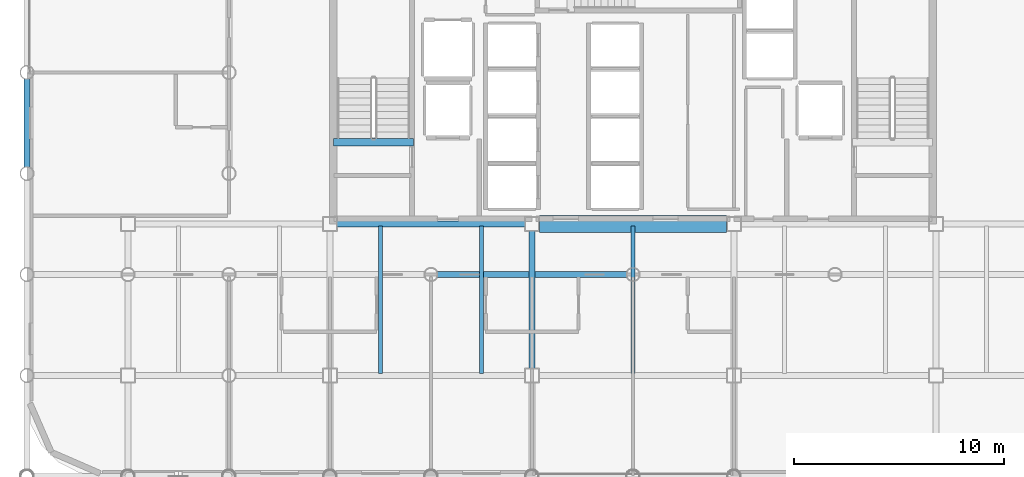
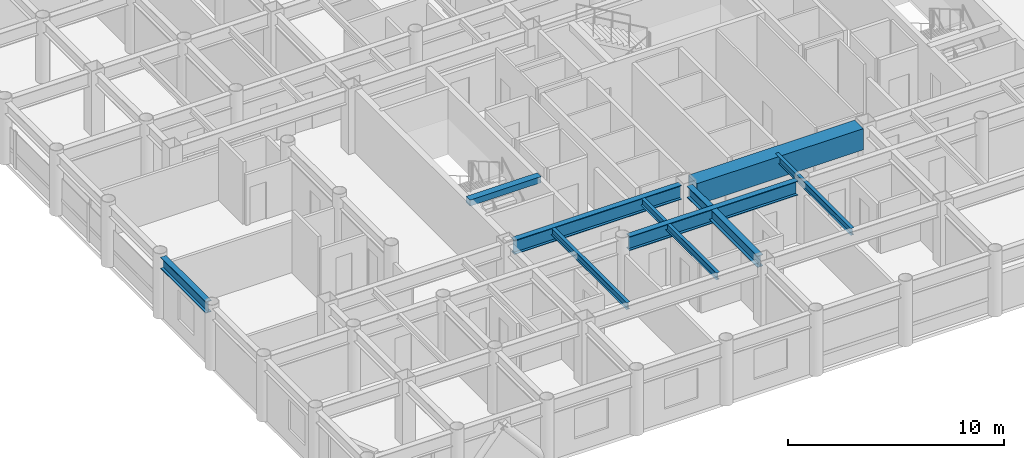
# One storey, part 3 of 22: 9 beams.
"""IFC4 building model written with IfcOpenShell, lengths in metres."""

from ifc_helpers import new_model, si_unit, direction, frame, origin, origin_2d, place, context, subcontext, project, spatial, rectangle, i_section, extrude, material, material_profile, profile_set, type_object, element, save


model = new_model("IFC4")

# Units and contexts
model_context = context("Model", 3, precision=1e-05, world=origin(), true_north=direction((0.0, 1.0)))
body_context = subcontext(model_context, "Body", "Model", "MODEL_VIEW")
ifc_project = project(units=[si_unit("LENGTHUNIT", "METRE"), si_unit("AREAUNIT", "SQUARE_METRE"), si_unit("VOLUMEUNIT", "CUBIC_METRE"), si_unit("PLANEANGLEUNIT", "RADIAN"), si_unit("MASSUNIT", "GRAM", prefix="KILO")], contexts=[model_context])

# Site, building, storey
site_placement = place(None, origin())
site = spatial("IfcSite", under=ifc_project, at=site_placement, CompositionType="ELEMENT")
building_placement = place(site_placement, origin())
building = spatial("IfcBuilding", under=site, at=building_placement, Name="Kallvorn Hotel Tower", CompositionType="ELEMENT")
storey_placement = place(building_placement, frame((0.0, 0.0, 110.0)))
storey = spatial("IfcBuildingStorey", under=building, at=storey_placement, Name="L26", CompositionType="ELEMENT", Elevation=110.0)

# Beams
ifc_material_1 = material(Name="Structural steel S355JR", Category="steel")
ifc_material_profile_1 = material_profile(ifc_material_1, i_section(OverallWidth=0.300048828125, OverallDepth=0.64990234375, WebThickness=0.01611328125, FlangeThickness=0.031005859375, at=origin_2d()), Name="HE 650 B")
ifc_profile_set_1 = profile_set([ifc_material_profile_1], Name="Structural steel S355JR")
beam_type_1 = type_object("IfcBeamType", Name="BM_HE650B", PredefinedType="BEAM", material=ifc_profile_set_1)
beam_1_placement = place(storey_placement, frame((-28.800048828125, -4.4951171875, 3.195068359375), z_axis=(0.0, 1.0, 0.0), x_axis=(-1.0, 0.0, 0.0)))
element("IfcBeam", 1, at=beam_1_placement, inside=storey, type_object=beam_type_1, Name="L27 Primary Y-Girder 76", PredefinedType="BEAM", context=body_context, shape_type="SweptSolid", body=[
    extrude(i_section(OverallWidth=0.300048828125, OverallDepth=0.64990234375, WebThickness=0.01611328125, FlangeThickness=0.031005859375, at=origin_2d()), origin(), (0.0, 0.0, 1.0), 4.190185546875),
])
beam_2_placement = place(storey_placement, frame((-4.800048828125, -14.074951171875, 3.195068359375), z_axis=(0.0, 1.0, 0.0), x_axis=(-1.0, 0.0, 0.0)))
element("IfcBeam", 2, at=beam_2_placement, inside=storey, type_object=beam_type_1, Name="L27 Primary Y-Girder 106", PredefinedType="BEAM", context=body_context, shape_type="SweptSolid", body=[
    extrude(i_section(OverallWidth=0.300048828125, OverallDepth=0.64990234375, WebThickness=0.01611328125, FlangeThickness=0.031005859375, at=origin_2d()), origin(), (0.0, 0.0, 1.0), 6.550048828125),
])
ifc_material_2 = material(Name="Structural steel S355JR", Category="steel")
ifc_material_profile_2 = material_profile(ifc_material_2, i_section(OverallWidth=0.300048828125, OverallDepth=0.800048828125, WebThickness=0.017578125, FlangeThickness=0.032958984375, at=origin_2d()), Name="HE 800 B")
ifc_profile_set_2 = profile_set([ifc_material_profile_2], Name="Structural steel S355JR")
beam_type_2 = type_object("IfcBeamType", Name="BM_HE800B", PredefinedType="BEAM", material=ifc_profile_set_2)
beam_3_placement = place(storey_placement, frame((-9.294921875, -9.60009765625, 3.1201171875), z_axis=(1.0, 0.0, 0.0), x_axis=(0.0, 1.0, 0.0)))
element("IfcBeam", 3, at=beam_3_placement, inside=storey, type_object=beam_type_2, Name="L27 Primary X-Girder 26", PredefinedType="BEAM", context=body_context, shape_type="SweptSolid", body=[
    extrude(i_section(OverallWidth=0.300048828125, OverallDepth=0.800048828125, WebThickness=0.017578125, FlangeThickness=0.032958984375, at=origin_2d()), origin(), (0.0, 0.0, 1.0), 8.989990234375),
])
beam_4_placement = place(storey_placement, frame((-14.074951171875, -7.199951171875, 3.1201171875), z_axis=(1.0, 0.0, 0.0), x_axis=(0.0, 1.0, 0.0)))
element("IfcBeam", 4, at=beam_4_placement, inside=storey, type_object=beam_type_2, Name="L27 Primary X-Girder 33", PredefinedType="BEAM", context=body_context, shape_type="SweptSolid", body=[
    extrude(i_section(OverallWidth=0.300048828125, OverallDepth=0.800048828125, WebThickness=0.017578125, FlangeThickness=0.032958984375, at=origin_2d()), origin(), (0.0, 0.0, 1.0), 8.949951171875),
])
ifc_material_3 = material(Name="Structural steel S355JR", Category="steel")
ifc_material_profile_3 = material_profile(ifc_material_3, i_section(OverallWidth=0.179931640625, OverallDepth=0.39990234375, WebThickness=0.008544921875, FlangeThickness=0.013427734375, at=origin_2d()), Name="IPE 400")
ifc_profile_set_3 = profile_set([ifc_material_profile_3], Name="Structural steel S355JR")
beam_type_3 = type_object("IfcBeamType", Name="BM_IPE400", PredefinedType="JOIST", material=ifc_profile_set_3)
for number, where, z_axis, x_axis, name in (
    (5, (-12.0, -14.300048828125, 3.320068359375), (0.0, 1.0, 0.0), (-1.0, 0.0, 0.0), "L27 Secondary Composite Joist 196"),
    (6, (-7.199951171875, -14.300048828125, 3.320068359375), (0.0, 1.0, 0.0), (-1.0, 0.0, 0.0), "L27 Secondary Composite Joist 198"),
    (7, (0.0, -14.300048828125, 3.320068359375), (0.0, 1.0, 0.0), (-1.0, 0.0, 0.0), "L27 Secondary Composite Joist 200"),
):
    element("IfcBeam", number, at=place(storey_placement, frame(where, z_axis=z_axis, x_axis=x_axis)), inside=storey, type_object=beam_type_3, Name=name, PredefinedType="JOIST", context=body_context, shape_type="SweptSolid", body=[
        extrude(i_section(OverallWidth=0.179931640625, OverallDepth=0.39990234375, WebThickness=0.008544921875, FlangeThickness=0.013427734375, at=origin_2d()), origin(), (0.0, 0.0, 1.0), 7.0),
    ])
ifc_material_4 = material(Name="Concrete C50/60", Category="concrete")
ifc_material_profile_4 = material_profile(ifc_material_4, rectangle(XDim=0.360107421875, YDim=0.340087890625, at=origin_2d()), Name="RC 360x340")
ifc_profile_set_4 = profile_set([ifc_material_profile_4], Name="Concrete C50/60")
beam_type_4 = type_object("IfcBeamType", Name="BM_RC_400x360", PredefinedType="BEAM", material=ifc_profile_set_4)
beam_5_placement = place(storey_placement, frame((-10.419921875, -3.31005859375, 3.35009765625), z_axis=(-1.0, 0.0, 0.0), x_axis=(0.0, -1.0, 0.0)))
element("IfcBeam", 8, at=beam_5_placement, inside=storey, type_object=beam_type_4, Name="L27 Stair ST1 Arrival Trimmer Beam", PredefinedType="BEAM", context=body_context, shape_type="SweptSolid", body=[
    extrude(rectangle(XDim=0.360107421875, YDim=0.340087890625, at=origin_2d()), origin(), (0.0, 0.0, 1.0), 3.820068359375),
])
ifc_material_5 = material(Name="Concrete C50/60", Category="concrete")
ifc_material_profile_5 = material_profile(ifc_material_5, rectangle(XDim=0.800048828125, YDim=1.199951171875, at=origin_2d()), Name="RC 800x1200")
ifc_profile_set_5 = profile_set([ifc_material_profile_5], Name="Concrete C50/60")
beam_type_5 = type_object("IfcBeamType", Name="BM_RC_800x1200", PredefinedType="T_BEAM", material=ifc_profile_set_5)
beam_6_placement = place(storey_placement, frame((-4.449951171875, -7.199951171875, 2.919921875), z_axis=(1.0, 0.0, 0.0), x_axis=(0.0, 1.0, 0.0)))
element("IfcBeam", 9, at=beam_6_placement, inside=storey, type_object=beam_type_5, Name="L26 Core Coupling Beam South", PredefinedType="T_BEAM", context=body_context, shape_type="SweptSolid", body=[
    extrude(rectangle(XDim=0.800048828125, YDim=1.199951171875, at=origin_2d()), origin(), (0.0, 0.0, 1.0), 8.89990234375),
])

save(model, "model.ifc")
